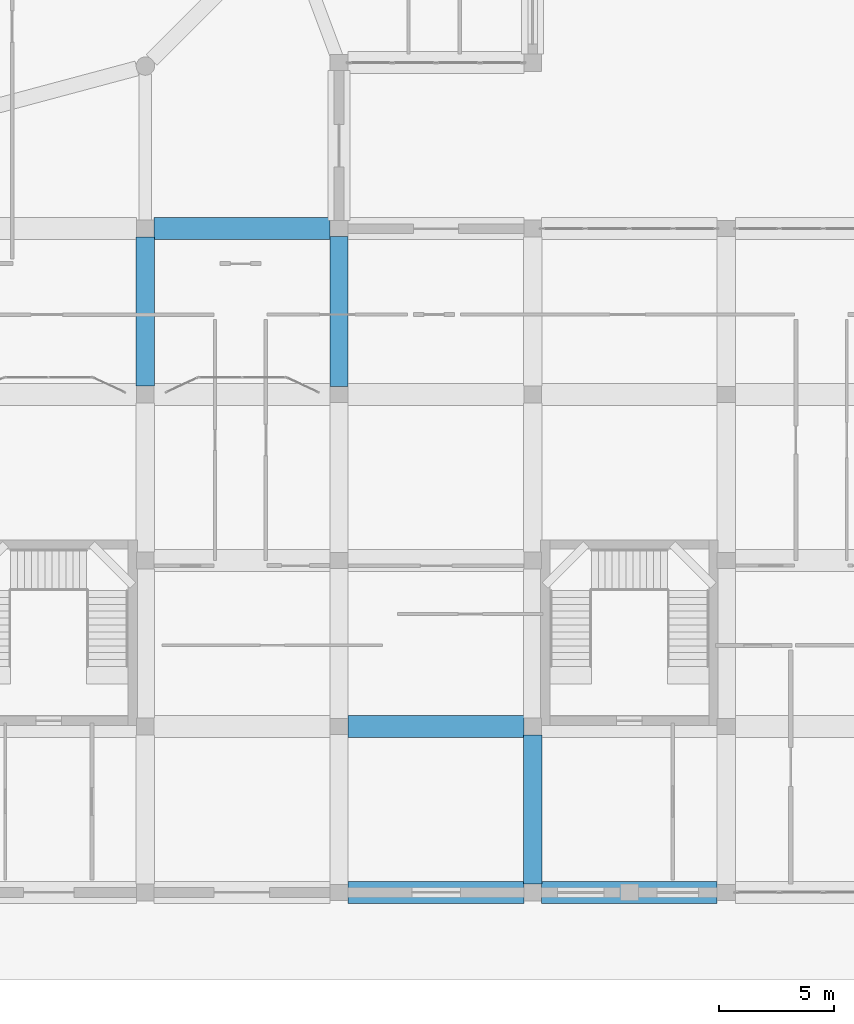
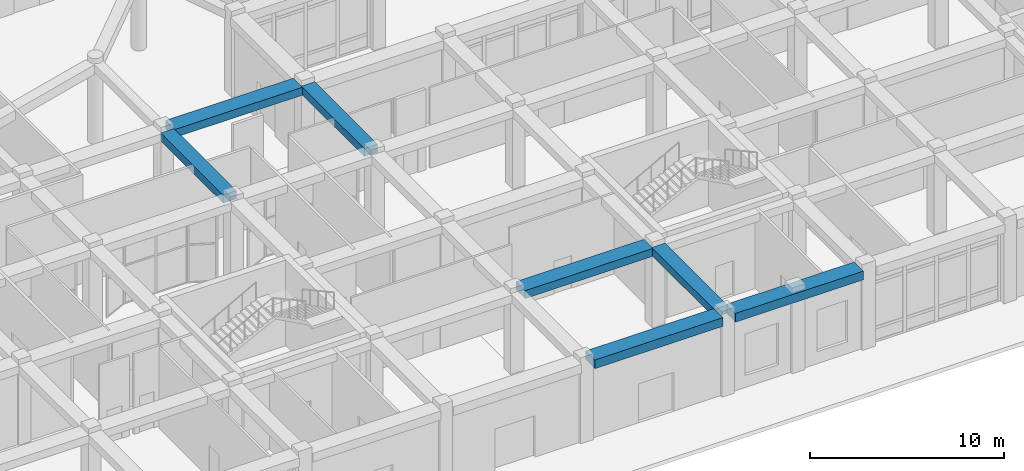
# One storey, part 16 of 84: 7 beams.
"""IFC4 building model written with IfcOpenShell, lengths in metres."""

from ifc_helpers import new_model, si_unit, derived_unit, direction, frame, origin, origin_2d, place, context, subcontext, project, spatial, rectangle, extrude, material, material_profile, profile_set, type_object, element, save


model = new_model("IFC4")

# Units and contexts
model_context = context("Model", 3, precision=1e-05, world=origin(), true_north=direction((0.0, 1.0)))
body_context = subcontext(model_context, "Body", "Model", "MODEL_VIEW")
ifc_project = project(units=[si_unit("LENGTHUNIT", "METRE"), si_unit("AREAUNIT", "SQUARE_METRE"), si_unit("VOLUMEUNIT", "CUBIC_METRE"), si_unit("PLANEANGLEUNIT", "RADIAN"), si_unit("MASSUNIT", "GRAM", prefix="KILO"), derived_unit("THERMALTRANSMITTANCEUNIT", [(si_unit("POWERUNIT", "WATT"), 1), (si_unit("LENGTHUNIT", "METRE"), -2), (si_unit("THERMODYNAMICTEMPERATUREUNIT", "KELVIN"), -1)])], contexts=[model_context])

# Site, building, storey
site_placement = place(None, origin())
site = spatial("IfcSite", under=ifc_project, at=site_placement, CompositionType="ELEMENT")
building_placement = place(site_placement, origin())
building = spatial("IfcBuilding", under=site, at=building_placement, Name="Veybourne Emporium", CompositionType="ELEMENT")
storey_placement = place(building_placement, origin())
storey = spatial("IfcBuildingStorey", under=building, at=storey_placement, Name="L00", CompositionType="ELEMENT", Elevation=0.0)

# Beams
ifc_material = material(Name="Concrete C32/40", Category="concrete")
ifc_material_profile_1 = material_profile(ifc_material, rectangle(XDim=0.949951171875, YDim=0.5, at=origin_2d()), Name="RC 950x500")
ifc_profile_set_1 = profile_set([ifc_material_profile_1], Name="Concrete C32/40")
beam_type_1 = type_object("IfcBeamType", Name="RCBeam_BB-01", PredefinedType="BEAM", material=ifc_profile_set_1)
for number, where, z_axis, x_axis, name in (
    (1, (84.375, 28.800048828125, 4.830078125), (1.0, 0.0, 0.0), (0.0, 1.0, 0.0), "L00 X-grid beam BB-01 (10,4)"),
    (2, (92.800048828125, 7.199951171875, 4.830078125), (1.0, 0.0, 0.0), (0.0, 1.0, 0.0), "L00 X-grid beam BB-01 (11,1)"),
):
    element("IfcBeam", number, at=place(storey_placement, frame(where, z_axis=z_axis, x_axis=x_axis)), inside=storey, type_object=beam_type_1, Name=name, PredefinedType="BEAM", context=body_context, shape_type="SweptSolid", body=[
        extrude(rectangle(XDim=0.949951171875, YDim=0.5, at=origin_2d()), origin(), (0.0, 0.0, 1.0), 7.625),
    ])
ifc_material_profile_2 = material_profile(ifc_material, rectangle(XDim=0.800048828125, YDim=0.5, at=origin_2d()), Name="RC 800x500")
ifc_profile_set_2 = profile_set([ifc_material_profile_2], Name="Concrete C32/40")
beam_type_2 = type_object("IfcBeamType", Name="RCBeam_BB-02", PredefinedType="BEAM", material=ifc_profile_set_2)
beam_1_placement = place(storey_placement, frame((84.0, 21.97509765625, 4.830078125), z_axis=(0.0, 1.0, 0.0), x_axis=(-1.0, 0.0, 0.0)))
element("IfcBeam", 3, at=beam_1_placement, inside=storey, type_object=beam_type_2, Name="L00 Y-grid beam BB-02 (10,3)", PredefinedType="BEAM", context=body_context, shape_type="SweptSolid", body=[
    extrude(rectangle(XDim=0.800048828125, YDim=0.5, at=origin_2d()), origin(), (0.0, 0.0, 1.0), 6.449951171875),
])
beam_2_placement = place(storey_placement, frame((92.39990234375, 21.949951171875, 4.830078125), z_axis=(0.0, 1.0, 0.0), x_axis=(-1.0, 0.0, 0.0)))
element("IfcBeam", 4, at=beam_2_placement, inside=storey, type_object=beam_type_2, Name="L00 Y-grid beam BB-02 (11,3)", PredefinedType="BEAM", context=body_context, shape_type="SweptSolid", body=[
    extrude(rectangle(XDim=0.800048828125, YDim=0.5, at=origin_2d()), origin(), (0.0, 0.0, 1.0), 6.5),
])
beam_3_placement = place(storey_placement, frame((100.800048828125, 0.375, 4.830078125), z_axis=(0.0, 1.0, 0.0), x_axis=(-1.0, 0.0, 0.0)))
element("IfcBeam", 5, at=beam_3_placement, inside=storey, type_object=beam_type_2, Name="L00 Y-grid beam BB-02 (12,0)", PredefinedType="BEAM", context=body_context, shape_type="SweptSolid", body=[
    extrude(rectangle(XDim=0.800048828125, YDim=0.5, at=origin_2d()), origin(), (0.0, 0.0, 1.0), 6.449951171875),
])
ifc_material_profile_3 = material_profile(ifc_material, rectangle(XDim=0.949951171875, YDim=0.550048828125, at=origin_2d()), Name="RC 950x550")
ifc_profile_set_3 = profile_set([ifc_material_profile_3], Name="Concrete C32/40")
beam_type_3 = type_object("IfcBeamType", Name="RCBeam_EB-01", PredefinedType="SPANDREL", material=ifc_profile_set_3)
for number, where, z_axis, x_axis, name in (
    (6, (92.800048828125, 0.0, 4.804931640625), (1.0, 0.0, 0.0), (0.0, 1.0, 0.0), "L00 X-grid beam EB-01 (11,0)"),
    (7, (101.175048828125, 0.0, 4.804931640625), (1.0, 0.0, 0.0), (0.0, 1.0, 0.0), "L00 X-grid beam EB-01 (12,0)"),
):
    element("IfcBeam", number, at=place(storey_placement, frame(where, z_axis=z_axis, x_axis=x_axis)), inside=storey, type_object=beam_type_3, Name=name, PredefinedType="SPANDREL", context=body_context, shape_type="SweptSolid", body=[
        extrude(rectangle(XDim=0.949951171875, YDim=0.550048828125, at=origin_2d()), origin(), (0.0, 0.0, 1.0), 7.625),
    ])

save(model, "model.ifc")
